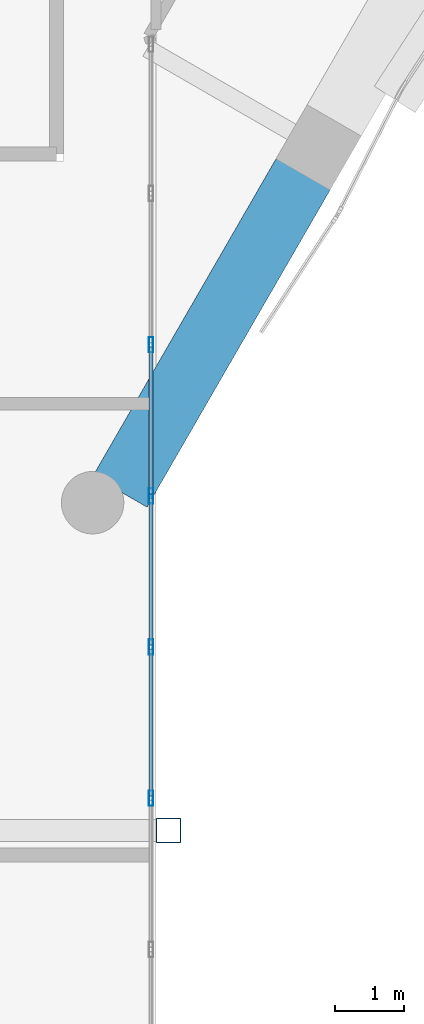
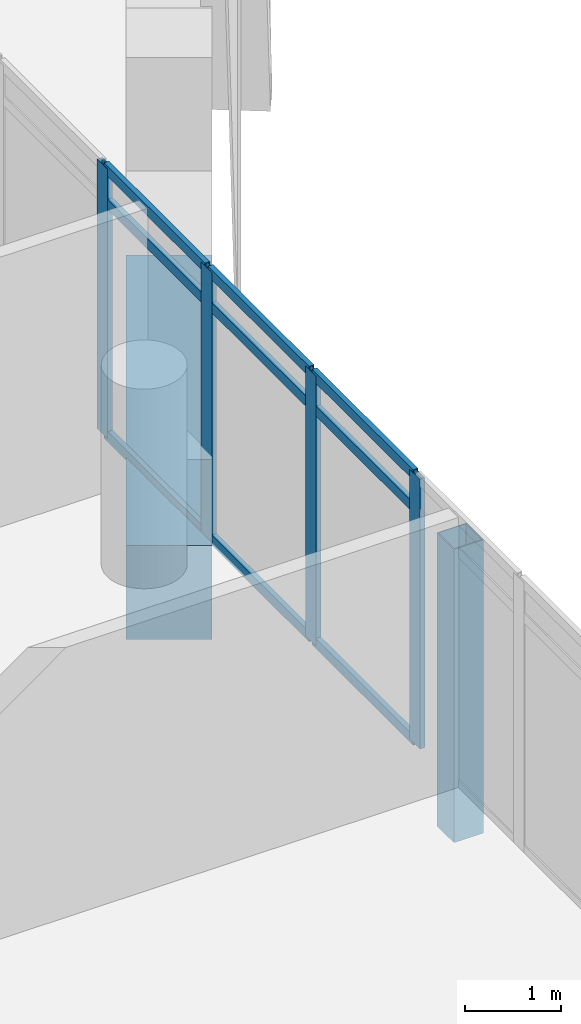
# One storey, part 8 of 37: 14 members, 1 beam, 1 element without a shape of its own.
"""IFC4 building model written with IfcOpenShell, lengths in metres."""

from ifc_helpers import new_model, si_unit, direction, frame, origin, origin_2d, place, context, subcontext, project, spatial, rectangle, hollow_rectangle, extrude, material, material_profile, profile_set, type_object, element, aggregate, save


model = new_model("IFC4")

# Units and contexts
model_context = context("Model", 3, precision=1e-05, world=origin(), true_north=direction((0.0, 1.0)))
body_context = subcontext(model_context, "Body", "Model", "MODEL_VIEW")
ifc_project = project(units=[si_unit("LENGTHUNIT", "METRE"), si_unit("AREAUNIT", "SQUARE_METRE"), si_unit("VOLUMEUNIT", "CUBIC_METRE"), si_unit("PLANEANGLEUNIT", "RADIAN"), si_unit("MASSUNIT", "GRAM", prefix="KILO")], contexts=[model_context])

# Site, building, storey
site_placement = place(None, origin())
site = spatial("IfcSite", under=ifc_project, at=site_placement, CompositionType="ELEMENT")
building_placement = place(site_placement, origin())
building = spatial("IfcBuilding", under=site, at=building_placement, Name="Ostrander Bayou Hotel Tower", CompositionType="ELEMENT")
storey_placement = place(building_placement, frame((0.0, 0.0, 225.75)))
storey = spatial("IfcBuildingStorey", under=building, at=storey_placement, Name="L56", CompositionType="ELEMENT", Elevation=225.75)

# Curtain wall, members
ifc_material_1 = material(Name="Aluminium and clear glass", Category="aluminium")
curtain_wall_type = type_object("IfcCurtainWallType", Name="CW-BAR glazed wall", PredefinedType="NOTDEFINED", material=ifc_material_1)
curtain_wall_placement = place(storey_placement, origin())
curtain_wall = element("IfcCurtainWall", 1, at=curtain_wall_placement, inside=storey, type_object=curtain_wall_type, Name="CW-BAR L56:SB5S:W", PredefinedType="NOTDEFINED")
ifc_material_2 = material(Name="Aluminium", Category="aluminium")
ifc_material_profile_1 = material_profile(ifc_material_2, hollow_rectangle(XDim=0.06005859375, YDim=0.219970703125, WallThickness=0.00390625, at=origin_2d()))
ifc_profile_set_1 = profile_set([ifc_material_profile_1], Name="Aluminium")
member_type_1 = type_object("IfcMemberType", Name="CW-BR mullion 60 x 220 mm", PredefinedType="MULLION", material=ifc_profile_set_1)
member_1_placement = place(storey_placement, frame((10.51220703125, -14.14892578125, 0.0), z_axis=(0.0, 0.0, 1.0), x_axis=(1.0, 0.0, 0.0)))
member_1 = element("IfcMember", 2, at=member_1_placement, type_object=member_type_1, Name="CW-BAR mullion 3", PredefinedType="MULLION", context=body_context, shape_type="SweptSolid", body=[
    extrude(hollow_rectangle(XDim=0.06005859375, YDim=0.219970703125, WallThickness=0.00390625, at=origin_2d()), origin(), (0.0, 0.0, 1.0), 3.449951171875),
])
member_2_placement = place(storey_placement, frame((10.51220703125, -16.3271484375, 0.0), z_axis=(0.0, 0.0, 1.0), x_axis=(1.0, 0.0, 0.0)))
member_2 = element("IfcMember", 3, at=member_2_placement, type_object=member_type_1, Name="CW-BAR mullion 4", PredefinedType="MULLION", context=body_context, shape_type="SweptSolid", body=[
    extrude(hollow_rectangle(XDim=0.06005859375, YDim=0.219970703125, WallThickness=0.00390625, at=origin_2d()), origin(), (0.0, 0.0, 1.0), 3.449951171875),
])
member_3_placement = place(storey_placement, frame((10.51220703125, -18.505615234375, 0.0), z_axis=(0.0, 0.0, 1.0), x_axis=(1.0, 0.0, 0.0)))
member_3 = element("IfcMember", 4, at=member_3_placement, type_object=member_type_1, Name="CW-BAR mullion 5", PredefinedType="MULLION", context=body_context, shape_type="SweptSolid", body=[
    extrude(hollow_rectangle(XDim=0.06005859375, YDim=0.219970703125, WallThickness=0.00390625, at=origin_2d()), origin(), (0.0, 0.0, 1.0), 3.449951171875),
])
member_4_placement = place(storey_placement, frame((10.51220703125, -20.683837890625, 0.0), z_axis=(0.0, 0.0, 1.0), x_axis=(1.0, 0.0, 0.0)))
member_4 = element("IfcMember", 5, at=member_4_placement, type_object=member_type_1, Name="CW-BAR mullion 6", PredefinedType="MULLION", context=body_context, shape_type="SweptSolid", body=[
    extrude(hollow_rectangle(XDim=0.06005859375, YDim=0.219970703125, WallThickness=0.00390625, at=origin_2d()), origin(), (0.0, 0.0, 1.0), 3.449951171875),
])
ifc_material_3 = material(Name="Aluminium", Category="aluminium")
ifc_material_profile_2 = material_profile(ifc_material_3, hollow_rectangle(XDim=0.06005859375, YDim=0.1298828125, WallThickness=0.00390625, at=origin_2d()))
ifc_profile_set_2 = profile_set([ifc_material_profile_2], Name="Aluminium")
member_type_2 = type_object("IfcMemberType", Name="CW-BR transom 60 x 130 mm", PredefinedType="USERDEFINED", material=ifc_profile_set_2)
member_5_placement = place(storey_placement, frame((10.51220703125, -14.178955078125, 0.030029296875), z_axis=(0.0, -1.0, 0.0), x_axis=(1.0, 0.0, 0.0)))
member_5 = element("IfcMember", 6, at=member_5_placement, type_object=member_type_2, Name="CW-BAR transom 3.1", ObjectType="TRANSOM", PredefinedType="USERDEFINED", context=body_context, shape_type="SweptSolid", body=[
    extrude(hollow_rectangle(XDim=0.06005859375, YDim=0.1298828125, WallThickness=0.00390625, at=origin_2d()), origin(), (0.0, 0.0, 1.0), 2.118408203125),
])
member_6_placement = place(storey_placement, frame((10.51220703125, -14.178955078125, 3.0), z_axis=(0.0, -1.0, 0.0), x_axis=(1.0, 0.0, 0.0)))
member_6 = element("IfcMember", 7, at=member_6_placement, type_object=member_type_2, Name="CW-BAR transom 3.2", ObjectType="TRANSOM", PredefinedType="USERDEFINED", context=body_context, shape_type="SweptSolid", body=[
    extrude(hollow_rectangle(XDim=0.06005859375, YDim=0.1298828125, WallThickness=0.00390625, at=origin_2d()), origin(), (0.0, 0.0, 1.0), 2.118408203125),
])
member_7_placement = place(storey_placement, frame((10.51220703125, -14.178955078125, 3.419921875), z_axis=(0.0, -1.0, 0.0), x_axis=(1.0, 0.0, 0.0)))
member_7 = element("IfcMember", 8, at=member_7_placement, type_object=member_type_2, Name="CW-BAR transom 3.3", ObjectType="TRANSOM", PredefinedType="USERDEFINED", context=body_context, shape_type="SweptSolid", body=[
    extrude(hollow_rectangle(XDim=0.06005859375, YDim=0.1298828125, WallThickness=0.00390625, at=origin_2d()), origin(), (0.0, 0.0, 1.0), 2.118408203125),
])
member_8_placement = place(storey_placement, frame((10.51220703125, -16.357177734375, 0.030029296875), z_axis=(0.0, -1.0, 0.0), x_axis=(1.0, 0.0, 0.0)))
member_8 = element("IfcMember", 9, at=member_8_placement, type_object=member_type_2, Name="CW-BAR transom 4.1", ObjectType="TRANSOM", PredefinedType="USERDEFINED", context=body_context, shape_type="SweptSolid", body=[
    extrude(hollow_rectangle(XDim=0.06005859375, YDim=0.1298828125, WallThickness=0.00390625, at=origin_2d()), origin(), (0.0, 0.0, 1.0), 2.118408203125),
])
member_9_placement = place(storey_placement, frame((10.51220703125, -16.357177734375, 3.0), z_axis=(0.0, -1.0, 0.0), x_axis=(1.0, 0.0, 0.0)))
member_9 = element("IfcMember", 10, at=member_9_placement, type_object=member_type_2, Name="CW-BAR transom 4.2", ObjectType="TRANSOM", PredefinedType="USERDEFINED", context=body_context, shape_type="SweptSolid", body=[
    extrude(hollow_rectangle(XDim=0.06005859375, YDim=0.1298828125, WallThickness=0.00390625, at=origin_2d()), origin(), (0.0, 0.0, 1.0), 2.118408203125),
])
member_10_placement = place(storey_placement, frame((10.51220703125, -16.357177734375, 3.419921875), z_axis=(0.0, -1.0, 0.0), x_axis=(1.0, 0.0, 0.0)))
member_10 = element("IfcMember", 11, at=member_10_placement, type_object=member_type_2, Name="CW-BAR transom 4.3", ObjectType="TRANSOM", PredefinedType="USERDEFINED", context=body_context, shape_type="SweptSolid", body=[
    extrude(hollow_rectangle(XDim=0.06005859375, YDim=0.1298828125, WallThickness=0.00390625, at=origin_2d()), origin(), (0.0, 0.0, 1.0), 2.118408203125),
])
member_11_placement = place(storey_placement, frame((10.51220703125, -18.53564453125, 0.030029296875), z_axis=(0.0, -1.0, 0.0), x_axis=(1.0, 0.0, 0.0)))
member_11 = element("IfcMember", 12, at=member_11_placement, type_object=member_type_2, Name="CW-BAR transom 5.1", ObjectType="TRANSOM", PredefinedType="USERDEFINED", context=body_context, shape_type="SweptSolid", body=[
    extrude(hollow_rectangle(XDim=0.06005859375, YDim=0.1298828125, WallThickness=0.00390625, at=origin_2d()), origin(), (0.0, 0.0, 1.0), 2.1181640625),
])
member_12_placement = place(storey_placement, frame((10.51220703125, -18.53564453125, 3.0), z_axis=(0.0, -1.0, 0.0), x_axis=(1.0, 0.0, 0.0)))
member_12 = element("IfcMember", 13, at=member_12_placement, type_object=member_type_2, Name="CW-BAR transom 5.2", ObjectType="TRANSOM", PredefinedType="USERDEFINED", context=body_context, shape_type="SweptSolid", body=[
    extrude(hollow_rectangle(XDim=0.06005859375, YDim=0.1298828125, WallThickness=0.00390625, at=origin_2d()), origin(), (0.0, 0.0, 1.0), 2.1181640625),
])
member_13_placement = place(storey_placement, frame((10.51220703125, -18.53564453125, 3.419921875), z_axis=(0.0, -1.0, 0.0), x_axis=(1.0, 0.0, 0.0)))
member_13 = element("IfcMember", 14, at=member_13_placement, type_object=member_type_2, Name="CW-BAR transom 5.3", ObjectType="TRANSOM", PredefinedType="USERDEFINED", context=body_context, shape_type="SweptSolid", body=[
    extrude(hollow_rectangle(XDim=0.06005859375, YDim=0.1298828125, WallThickness=0.00390625, at=origin_2d()), origin(), (0.0, 0.0, 1.0), 2.1181640625),
])
aggregate(curtain_wall, [member_1, member_2, member_3, member_4, member_5, member_6, member_7, member_8, member_9, member_10, member_11, member_12, member_13])

# Beam
ifc_material_4 = material(Name="Concrete f'c 60 MPa", Category="concrete")
ifc_material_profile_3 = material_profile(ifc_material_4, rectangle(XDim=0.89990234375, YDim=1.199951171875, at=origin_2d()))
ifc_profile_set_3 = profile_set([ifc_material_profile_3], Name="Concrete f'c 60 MPa")
beam_type = type_object("IfcBeamType", Name="SP4 spandrel beam 900 x 1200 mm f'c 60 MPa", PredefinedType="SPANDREL", material=ifc_profile_set_3)
beam_placement = place(storey_placement, frame((10.06640625, -16.264404296875, -0.60009765625), z_axis=(0.500001430823, 0.866024577697, 0.0), x_axis=(-0.866024577697, 0.500001430823, 0.0)))
element("IfcBeam", 15, at=beam_placement, inside=storey, type_object=beam_type, Name="SP4 L56 SE-1", PredefinedType="SPANDREL", context=body_context, shape_type="SweptSolid", body=[
    extrude(rectangle(XDim=0.89990234375, YDim=1.199951171875, at=origin_2d()), origin(), (0.0, 0.0, 1.0), 5.302734375),
])

# Member
ifc_material_5 = material(Name="Steel ASTM A500 Gr C", Category="steel")
ifc_material_profile_4 = material_profile(ifc_material_5, hollow_rectangle(XDim=0.355712890625, YDim=0.355712890625, WallThickness=0.01171875, at=origin_2d()))
ifc_profile_set_4 = profile_set([ifc_material_profile_4], Name="Steel ASTM A500 Gr C")
member_type_3 = type_object("IfcMemberType", Name="TH2 bar hanger HSS14x14x1/2", PredefinedType="POST", material=ifc_profile_set_4)
member_14_placement = place(storey_placement, frame((10.764892578125, -21.147705078125, -0.9111328125), z_axis=(0.0, 0.0, 1.0), x_axis=(1.0, 0.0, 0.0)))
element("IfcMember", 16, at=member_14_placement, inside=storey, type_object=member_type_3, Name="TH2 SB5SB H1-2", PredefinedType="POST", context=body_context, shape_type="SweptSolid", body=[
    extrude(hollow_rectangle(XDim=0.355712890625, YDim=0.355712890625, WallThickness=0.01171875, at=origin_2d()), origin(), (0.0, 0.0, 1.0), 3.75),
])

save(model, "model.ifc")
